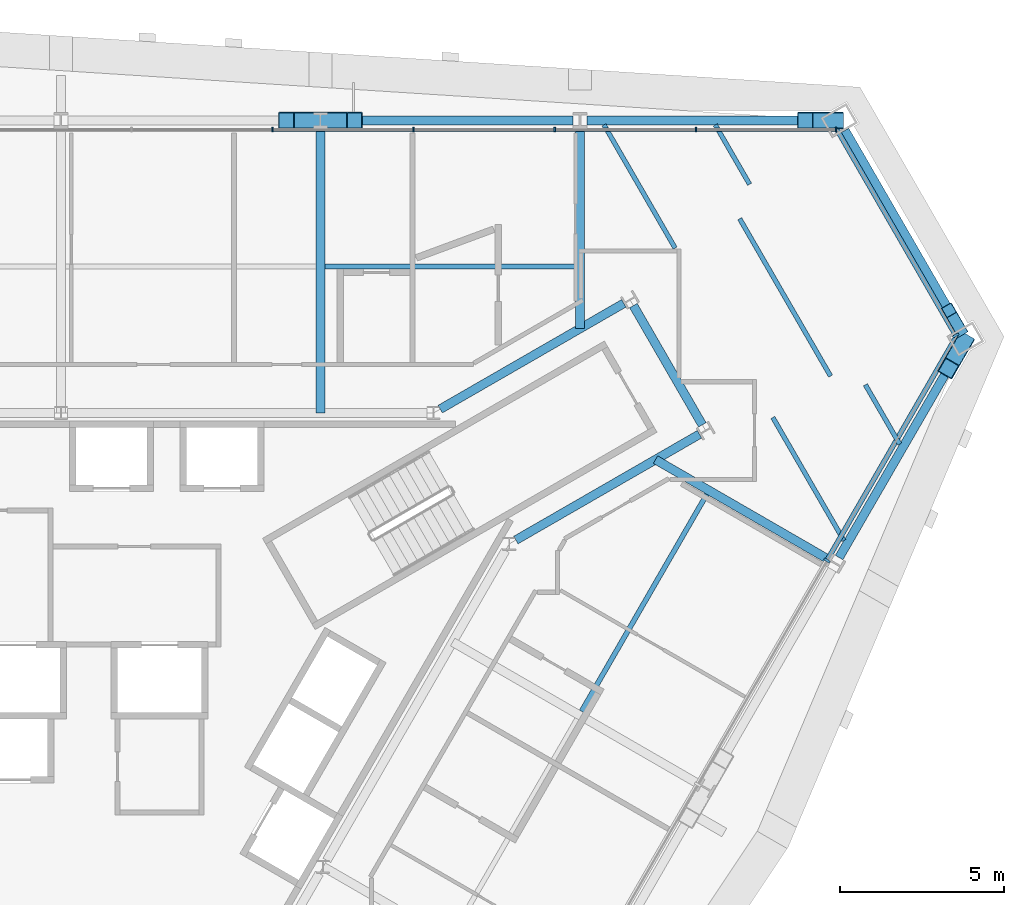
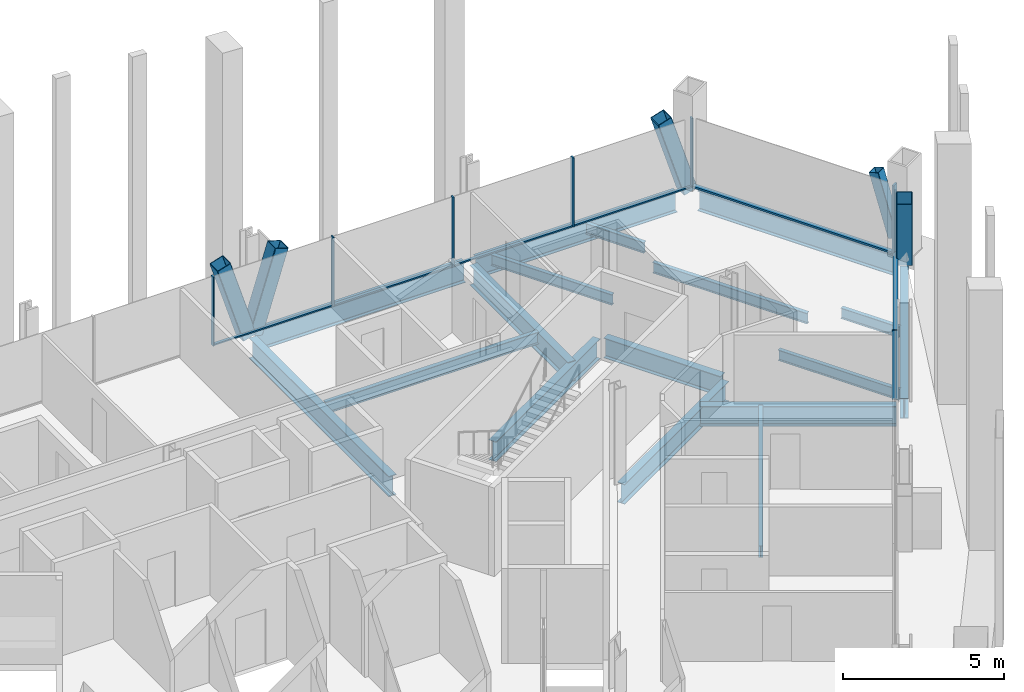
# One storey, part 8 of 17: 18 members, 17 beams, 3 elements without a shape of their own.
"""IFC4 building model written with IfcOpenShell, lengths in metres."""

from ifc_helpers import new_model, si_unit, direction, frame, origin, origin_2d, place, context, subcontext, project, spatial, rectangle, hollow_rectangle, i_section, extrude, material, material_profile, profile_set, type_object, element, aggregate, save


model = new_model("IFC4")

# Units and contexts
model_context = context("Model", 3, precision=1e-05, world=origin(), true_north=direction((0.0, 1.0)))
body_context = subcontext(model_context, "Body", "Model", "MODEL_VIEW")
ifc_project = project(units=[si_unit("LENGTHUNIT", "METRE"), si_unit("AREAUNIT", "SQUARE_METRE"), si_unit("VOLUMEUNIT", "CUBIC_METRE"), si_unit("PLANEANGLEUNIT", "RADIAN"), si_unit("MASSUNIT", "GRAM", prefix="KILO")], contexts=[model_context])

# Site, building, storey
site_placement = place(None, origin())
site = spatial("IfcSite", under=ifc_project, at=site_placement, CompositionType="ELEMENT")
building_placement = place(site_placement, origin())
building = spatial("IfcBuilding", under=site, at=building_placement, Name="Verrane Prism Tower", CompositionType="ELEMENT")
storey_placement = place(building_placement, frame((0.0, 0.0, 92.800048828125)))
storey = spatial("IfcBuildingStorey", under=building, at=storey_placement, Name="L21", CompositionType="ELEMENT", Elevation=92.800048828125)

# Member
ifc_material_1 = material(Name="Steel A500 Grade C", Category="steel")
ifc_material_profile_1 = material_profile(ifc_material_1, hollow_rectangle(XDim=0.355712890625, YDim=0.355712890625, WallThickness=0.0126953125, InnerFilletRadius=0.00634765625, OuterFilletRadius=0.01904296875, at=origin_2d()), Name="HSS14x14x1/2")
ifc_profile_set_1 = profile_set([ifc_material_profile_1], Name="Steel A500 Grade C")
member_type_1 = type_object("IfcMemberType", Name="Chamfer brace HSS14x14x1/2", PredefinedType="BRACE", material=ifc_profile_set_1)
member_1_placement = place(storey_placement, frame((27.33984375, 11.72705078125, 0.5078125), z_axis=(-0.145831104884, 0.25201275634, 0.956672806915), x_axis=(-0.865532026692, -0.500853582167, 0.0)))
element("IfcMember", 1, at=member_1_placement, inside=storey, type_object=member_type_1, Name="Chamfer brace NE0 L21", PredefinedType="BRACE", context=body_context, shape_type="SweptSolid", body=[
    extrude(hollow_rectangle(XDim=0.355712890625, YDim=0.355712890625, WallThickness=0.0126953125, InnerFilletRadius=0.00634765625, OuterFilletRadius=0.01904296875, at=origin_2d()), origin(), (0.0, 0.0, 1.0), 2.35205078125),
])

# Beams
ifc_material_2 = material(Name="Steel A992", Category="steel")
ifc_material_profile_2 = material_profile(ifc_material_2, i_section(OverallWidth=0.2666015625, OverallDepth=0.76708984375, WebThickness=0.014892578125, FlangeThickness=0.023681640625, FilletRadius=0.0166015625, at=origin_2d()), Name="W30x124")
ifc_profile_set_2 = profile_set([ifc_material_profile_2], Name="Steel A992")
beam_type_1 = type_object("IfcBeamType", Name="Chamfer spandrel beam W30x124", PredefinedType="SPANDREL", material=ifc_profile_set_2)
beam_1_placement = place(storey_placement, frame((27.32470703125, 11.7529296875, -0.54345703125), z_axis=(-0.500609590055, 0.865673170628, 0.0), x_axis=(-0.865673170628, -0.500609590055, 0.0)))
element("IfcBeam", 2, at=beam_1_placement, inside=storey, type_object=beam_type_1, Name="Chamfer spandrel beam L21", PredefinedType="SPANDREL", context=body_context, shape_type="SweptSolid", body=[
    extrude(i_section(OverallWidth=0.2666015625, OverallDepth=0.76708984375, WebThickness=0.014892578125, FlangeThickness=0.023681640625, FilletRadius=0.0166015625, at=origin_2d()), origin(), (0.0, 0.0, 1.0), 6.970458984375),
])
ifc_material_3 = material(Name="Steel A992", Category="steel")
ifc_material_profile_3 = material_profile(ifc_material_3, i_section(OverallWidth=0.2666015625, OverallDepth=0.7568359375, WebThickness=0.013916015625, FlangeThickness=0.019287109375, FilletRadius=0.0166015625, at=origin_2d()), Name="W30x108")
ifc_profile_set_3 = profile_set([ifc_material_profile_3], Name="Steel A992")
beam_type_2 = type_object("IfcBeamType", Name="Core ring girder W30x108", PredefinedType="BEAM", material=ifc_profile_set_3)
beam_2_placement = place(storey_placement, frame((13.830810546875, 5.335693359375, -0.628662109375), z_axis=(0.866455532004, 0.499254254924, 0.0), x_axis=(-0.499254254924, 0.866455532004, 0.0)))
element("IfcBeam", 3, at=beam_2_placement, inside=storey, type_object=beam_type_2, Name="Core ring girder L21", PredefinedType="BEAM", context=body_context, shape_type="SweptSolid", body=[
    extrude(i_section(OverallWidth=0.2666015625, OverallDepth=0.7568359375, WebThickness=0.013916015625, FlangeThickness=0.019287109375, FilletRadius=0.0166015625, at=origin_2d()), origin(), (0.0, 0.0, 1.0), 6.441162109375),
])
beam_3_placement = place(storey_placement, frame((19.4970703125, 8.838134765625, -0.628662109375), z_axis=(-0.500367003619, 0.865813410435, 0.0), x_axis=(-0.865813410435, -0.500367003619, 0.0)))
element("IfcBeam", 4, at=beam_3_placement, inside=storey, type_object=beam_type_2, Name="Core ring girder L21", PredefinedType="BEAM", context=body_context, shape_type="SweptSolid", body=[
    extrude(i_section(OverallWidth=0.2666015625, OverallDepth=0.7568359375, WebThickness=0.013916015625, FlangeThickness=0.019287109375, FilletRadius=0.0166015625, at=origin_2d()), origin(), (0.0, 0.0, 1.0), 4.185302734375),
])
beam_4_placement = place(storey_placement, frame((17.11181640625, 12.531494140625, -0.628662109375), z_axis=(-0.866455532004, -0.499254254924, 0.0), x_axis=(0.499254254924, -0.866455532004, 0.0)))
element("IfcBeam", 5, at=beam_4_placement, inside=storey, type_object=beam_type_2, Name="Core ring girder L21", PredefinedType="BEAM", context=body_context, shape_type="SweptSolid", body=[
    extrude(i_section(OverallWidth=0.2666015625, OverallDepth=0.7568359375, WebThickness=0.013916015625, FlangeThickness=0.019287109375, FilletRadius=0.0166015625, at=origin_2d()), origin(), (0.0, 0.0, 1.0), 6.441162109375),
])

# Members
ifc_material_4 = material(Name="Steel A1085 Grade A", Category="steel")
ifc_material_profile_4 = material_profile(ifc_material_4, hollow_rectangle(XDim=0.508056640625, YDim=0.508056640625, WallThickness=0.025390625, InnerFilletRadius=0.0126953125, OuterFilletRadius=0.0380859375, at=origin_2d()), Name="HSS20x20x1")
ifc_profile_set_4 = profile_set([ifc_material_profile_4], Name="Steel A1085 Grade A")
member_type_2 = type_object("IfcMemberType", Name="Facade brace HSS20x20x1", PredefinedType="BRACE", material=ifc_profile_set_4)
member_2_placement = place(storey_placement, frame((23.553466796875, 18.090087890625, -0.19775390625), z_axis=(-0.298480936236, 0.0, 0.954415596427), x_axis=(0.0, -1.0, 0.0)))
element("IfcMember", 6, at=member_2_placement, inside=storey, type_object=member_type_2, Name="Facade brace N0 L21", PredefinedType="BRACE", context=body_context, shape_type="SweptSolid", body=[
    extrude(hollow_rectangle(XDim=0.508056640625, YDim=0.508056640625, WallThickness=0.025390625, InnerFilletRadius=0.0126953125, OuterFilletRadius=0.0380859375, at=origin_2d()), origin(), (0.0, 0.0, 1.0), 3.10498046875),
])
for number, where, z_axis, x_axis, name in (
    (7, (7.99658203125, 18.090087890625, -0.19775390625), (0.298838998855, 0.0, 0.954303543304), (0.0, 1.0, 0.0), "Facade brace N1 L21"),
    (8, (7.783203125, 18.090087890625, -0.19775390625), (-0.298767396422, 0.0, 0.95432596257), (0.0, -1.0, 0.0), "Facade brace N2 L21"),
    (9, (27.446533203125, 11.357666015625, -0.19775390625), (-0.149540156627, -0.258668304576, 0.954320936459), (0.865738394228, -0.500496785964, 0.0), "Facade brace SE5 L21"),
):
    element("IfcMember", number, at=place(storey_placement, frame(where, z_axis=z_axis, x_axis=x_axis)), inside=storey, type_object=member_type_2, Name=name, PredefinedType="BRACE", context=body_context, shape_type="SweptSolid", body=[
        extrude(hollow_rectangle(XDim=0.508056640625, YDim=0.508056640625, WallThickness=0.025390625, InnerFilletRadius=0.0126953125, OuterFilletRadius=0.0380859375, at=origin_2d()), origin(), (0.0, 0.0, 1.0), 3.105224609375),
    ])

# Beams
ifc_material_5 = material(Name="Steel A992", Category="steel")
ifc_material_profile_5 = material_profile(ifc_material_5, i_section(OverallWidth=0.140380859375, OverallDepth=0.40380859375, WebThickness=0.007080078125, FlangeThickness=0.01123046875, FilletRadius=0.01025390625, at=origin_2d()), Name="W16x31")
ifc_profile_set_5 = profile_set([ifc_material_profile_5], Name="Steel A992")
beam_type_3 = type_object("IfcBeamType", Name="Floor beam W16x31", PredefinedType="BEAM", material=ifc_profile_set_5)
beam_5_placement = place(storey_placement, frame((20.93505859375, 16.150146484375, -0.362060546875), z_axis=(-0.500016271356, 0.866016009309, 0.0), x_axis=(-0.866016009309, -0.500016271356, 0.0)))
element("IfcBeam", 10, at=beam_5_placement, inside=storey, type_object=beam_type_3, Name="Floor beam L21", PredefinedType="BEAM", context=body_context, shape_type="SweptSolid", body=[
    extrude(i_section(OverallWidth=0.140380859375, OverallDepth=0.40380859375, WebThickness=0.007080078125, FlangeThickness=0.01123046875, FilletRadius=0.01025390625, at=origin_2d()), origin(), (0.0, 0.0, 1.0), 2.0859375),
])
beam_6_placement = place(storey_placement, frame((18.671875, 14.210693359375, -0.362060546875), z_axis=(-0.499987927251, 0.866032373877, 0.0), x_axis=(-0.866032373877, -0.499987927251, 0.0)))
element("IfcBeam", 11, at=beam_6_placement, inside=storey, type_object=beam_type_3, Name="Floor beam L21", PredefinedType="BEAM", context=body_context, shape_type="SweptSolid", body=[
    extrude(i_section(OverallWidth=0.140380859375, OverallDepth=0.40380859375, WebThickness=0.007080078125, FlangeThickness=0.01123046875, FilletRadius=0.01025390625, at=origin_2d()), origin(), (0.0, 0.0, 1.0), 4.3251953125),
])
beam_7_placement = place(storey_placement, frame((25.49658203125, 8.25244140625, -0.362060546875), z_axis=(-0.500084280142, 0.865976739154, 0.0), x_axis=(-0.865976739154, -0.500084280142, 0.0)))
element("IfcBeam", 12, at=beam_7_placement, inside=storey, type_object=beam_type_3, Name="Floor beam L21", PredefinedType="BEAM", context=body_context, shape_type="SweptSolid", body=[
    extrude(i_section(OverallWidth=0.140380859375, OverallDepth=0.40380859375, WebThickness=0.007080078125, FlangeThickness=0.01123046875, FilletRadius=0.01025390625, at=origin_2d()), origin(), (0.0, 0.0, 1.0), 2.083251953125),
])
beam_8_placement = place(storey_placement, frame((23.80126953125, 5.321044921875, -0.362060546875), z_axis=(-0.500004540241, 0.866022782459, 0.0), x_axis=(-0.866022782459, -0.500004540241, 0.0)))
element("IfcBeam", 13, at=beam_8_placement, inside=storey, type_object=beam_type_3, Name="Floor beam L21", PredefinedType="BEAM", context=body_context, shape_type="SweptSolid", body=[
    extrude(i_section(OverallWidth=0.140380859375, OverallDepth=0.40380859375, WebThickness=0.007080078125, FlangeThickness=0.01123046875, FilletRadius=0.01025390625, at=origin_2d()), origin(), (0.0, 0.0, 1.0), 4.3203125),
])
beam_9_placement = place(storey_placement, frame((23.396484375, 10.319091796875, -0.362060546875), z_axis=(-0.499999210213, 0.866025859768, 0.0), x_axis=(-0.866025859768, -0.499999210213, 0.0)))
element("IfcBeam", 14, at=beam_9_placement, inside=storey, type_object=beam_type_3, Name="Floor beam L21", PredefinedType="BEAM", context=body_context, shape_type="SweptSolid", body=[
    extrude(i_section(OverallWidth=0.140380859375, OverallDepth=0.40380859375, WebThickness=0.007080078125, FlangeThickness=0.01123046875, FilletRadius=0.01025390625, at=origin_2d()), origin(), (0.0, 0.0, 1.0), 5.5234375),
])
ifc_material_6 = material(Name="Steel A992", Category="steel")
ifc_material_profile_6 = material_profile(ifc_material_6, i_section(OverallWidth=0.15234375, OverallDepth=0.449462890625, WebThickness=0.007568359375, FlangeThickness=0.0107421875, FilletRadius=0.01025390625, at=origin_2d()), Name="W18x35")
ifc_profile_set_6 = profile_set([ifc_material_profile_6], Name="Steel A992")
beam_type_4 = type_object("IfcBeamType", Name="Floor beam W18x35", PredefinedType="BEAM", material=ifc_profile_set_6)
beam_10_placement = place(storey_placement, frame((8.0234375, 13.64501953125, -0.384765625), z_axis=(1.0, 0.0, 0.0), x_axis=(0.0, 1.0, 0.0)))
element("IfcBeam", 15, at=beam_10_placement, inside=storey, type_object=beam_type_4, Name="Floor beam L21", PredefinedType="BEAM", context=body_context, shape_type="SweptSolid", body=[
    extrude(i_section(OverallWidth=0.15234375, OverallDepth=0.449462890625, WebThickness=0.007568359375, FlangeThickness=0.0107421875, FilletRadius=0.01025390625, at=origin_2d()), origin(), (0.0, 0.0, 1.0), 7.623046875),
])
beam_11_placement = place(storey_placement, frame((15.82666015625, 0.130615234375, -0.384765625), z_axis=(0.49997412077, 0.866040344649, 0.0), x_axis=(-0.866040344649, 0.49997412077, 0.0)))
element("IfcBeam", 16, at=beam_11_placement, inside=storey, type_object=beam_type_4, Name="Floor beam L21", PredefinedType="BEAM", context=body_context, shape_type="SweptSolid", body=[
    extrude(i_section(OverallWidth=0.15234375, OverallDepth=0.449462890625, WebThickness=0.007568359375, FlangeThickness=0.0107421875, FilletRadius=0.01025390625, at=origin_2d()), origin(), (0.0, 0.0, 1.0), 7.61376953125),
])

# Curtain wall, members
ifc_material_7 = material(Name="Aluminium framed insulated glazing", Category="aluminium")
curtain_wall_type_1 = type_object("IfcCurtainWallType", Name="Curtain wall CW-C 4200 module", PredefinedType="NOTDEFINED", material=ifc_material_7)
curtain_wall_1_placement = place(storey_placement, origin())
curtain_wall_1 = element("IfcCurtainWall", 17, at=curtain_wall_1_placement, inside=storey, type_object=curtain_wall_type_1, Name="Glazed curtain wall north face L21", PredefinedType="NOTDEFINED")
ifc_material_8 = material(Name="Aluminium alloy 6063-T6", Category="aluminium")
ifc_material_profile_7 = material_profile(ifc_material_8, rectangle(XDim=0.139892578125, YDim=0.050048828125, at=origin_2d()), Name="Mullion 50x140 aluminium")
ifc_profile_set_7 = profile_set([ifc_material_profile_7], Name="Aluminium alloy 6063-T6")
member_type_3 = type_object("IfcMemberType", Name="Mullion 50x140 aluminium", PredefinedType="MULLION", material=ifc_profile_set_7)
member_3_placement = place(storey_placement, frame((23.564697265625, 17.81103515625, 0.0), z_axis=(0.0, 0.0, 1.0), x_axis=(0.0, -1.0, 0.0)))
member_3 = element("IfcMember", 18, at=member_3_placement, type_object=member_type_3, Name="CW21.2 mullion 1", PredefinedType="MULLION", context=body_context, shape_type="SweptSolid", body=[
    extrude(rectangle(XDim=0.139892578125, YDim=0.050048828125, at=origin_2d()), origin(), (0.0, 0.0, 1.0), 2.61279296875),
])
member_4_placement = place(storey_placement, frame((19.30078125, 17.81103515625, 0.0), z_axis=(0.0, 0.0, 1.0), x_axis=(0.0, -1.0, 0.0)))
member_4 = element("IfcMember", 19, at=member_4_placement, type_object=member_type_3, Name="CW21.2 mullion 2", PredefinedType="MULLION", context=body_context, shape_type="SweptSolid", body=[
    extrude(rectangle(XDim=0.139892578125, YDim=0.050048828125, at=origin_2d()), origin(), (0.0, 0.0, 1.0), 2.61279296875),
])
member_5_placement = place(storey_placement, frame((15.01171875, 17.81103515625, 0.0), z_axis=(0.0, 0.0, 1.0), x_axis=(0.0, -1.0, 0.0)))
member_5 = element("IfcMember", 20, at=member_5_placement, type_object=member_type_3, Name="CW21.2 mullion 3", PredefinedType="MULLION", context=body_context, shape_type="SweptSolid", body=[
    extrude(rectangle(XDim=0.139892578125, YDim=0.050048828125, at=origin_2d()), origin(), (0.0, 0.0, 1.0), 2.61279296875),
])
member_6_placement = place(storey_placement, frame((10.72265625, 17.81103515625, 0.0), z_axis=(0.0, 0.0, 1.0), x_axis=(0.0, -1.0, 0.0)))
member_6 = element("IfcMember", 21, at=member_6_placement, type_object=member_type_3, Name="CW21.2 mullion 4", PredefinedType="MULLION", context=body_context, shape_type="SweptSolid", body=[
    extrude(rectangle(XDim=0.139892578125, YDim=0.050048828125, at=origin_2d()), origin(), (0.0, 0.0, 1.0), 2.61279296875),
])
member_7_placement = place(storey_placement, frame((6.43359375, 17.81103515625, 0.0), z_axis=(0.0, 0.0, 1.0), x_axis=(0.0, -1.0, 0.0)))
member_7 = element("IfcMember", 22, at=member_7_placement, type_object=member_type_3, Name="CW21.2 mullion 5", PredefinedType="MULLION", context=body_context, shape_type="SweptSolid", body=[
    extrude(rectangle(XDim=0.139892578125, YDim=0.050048828125, at=origin_2d()), origin(), (0.0, 0.0, 1.0), 2.61279296875),
])

# Curtain wall, member
ifc_material_9 = material(Name="Aluminium framed insulated glazing", Category="aluminium")
curtain_wall_type_2 = type_object("IfcCurtainWallType", Name="Curtain wall CW-A 8400 module", PredefinedType="NOTDEFINED", material=ifc_material_9)
curtain_wall_2_placement = place(storey_placement, origin())
curtain_wall_2 = element("IfcCurtainWall", 23, at=curtain_wall_2_placement, inside=storey, type_object=curtain_wall_type_2, Name="Glazed curtain wall north-east corner L21", PredefinedType="NOTDEFINED")
ifc_material_10 = material(Name="Aluminium alloy 6063-T6", Category="aluminium")
ifc_material_profile_8 = material_profile(ifc_material_10, rectangle(XDim=0.199951171875, YDim=0.070068359375, at=origin_2d()), Name="Mullion 70x200 aluminium")
ifc_profile_set_8 = profile_set([ifc_material_profile_8], Name="Aluminium alloy 6063-T6")
member_type_4 = type_object("IfcMemberType", Name="Mullion 70x200 aluminium", PredefinedType="MULLION", material=ifc_profile_set_8)
member_8_placement = place(storey_placement, frame((27.2021484375, 11.55419921875, 0.0), z_axis=(0.0, 0.0, 1.0), x_axis=(-0.866026394632, -0.499998283797, 0.0)))
member_8 = element("IfcMember", 24, at=member_8_placement, type_object=member_type_4, Name="CW21.1 mullion 1", PredefinedType="MULLION", context=body_context, shape_type="SweptSolid", body=[
    extrude(rectangle(XDim=0.199951171875, YDim=0.070068359375, at=origin_2d()), origin(), (0.0, 0.0, 1.0), 2.61279296875),
])

curtain_wall_3_placement = place(storey_placement, origin())
curtain_wall_3 = element("IfcCurtainWall", 25, at=curtain_wall_3_placement, inside=storey, type_object=curtain_wall_type_2, Name="Glazed curtain wall south-east face L21", PredefinedType="NOTDEFINED")
member_9_placement = place(storey_placement, frame((23.2880859375, 4.714111328125, 0.0), z_axis=(0.0, 0.0, 1.0), x_axis=(-0.866025621383, 0.499999623108, 0.0)))
member_9 = element("IfcMember", 26, at=member_9_placement, type_object=member_type_4, Name="CW21.6 mullion 6", PredefinedType="MULLION", context=body_context, shape_type="SweptSolid", body=[
    extrude(rectangle(XDim=0.199951171875, YDim=0.070068359375, at=origin_2d()), origin(), (0.0, 0.0, 1.0), 2.61279296875),
])

# Beams
ifc_material_11 = material(Name="Steel A992", Category="steel")
ifc_material_profile_9 = material_profile(ifc_material_11, i_section(OverallWidth=0.2666015625, OverallDepth=0.76708984375, WebThickness=0.014892578125, FlangeThickness=0.023681640625, FilletRadius=0.0166015625, at=origin_2d()), Name="W30x124")
ifc_profile_set_9 = profile_set([ifc_material_profile_9], Name="Steel A992")
beam_type_5 = type_object("IfcBeamType", Name="Radial girder W30x124", PredefinedType="BEAM", material=ifc_profile_set_9)
beam_12_placement = place(storey_placement, frame((15.780029296875, 17.8525390625, -0.603515625), z_axis=(0.0, -1.0, 0.0), x_axis=(1.0, 0.0, 0.0)))
element("IfcBeam", 27, at=beam_12_placement, inside=storey, type_object=beam_type_5, Name="Radial girder L21", PredefinedType="BEAM", context=body_context, shape_type="SweptSolid", body=[
    extrude(i_section(OverallWidth=0.2666015625, OverallDepth=0.76708984375, WebThickness=0.014892578125, FlangeThickness=0.023681640625, FilletRadius=0.0166015625, at=origin_2d()), origin(), (0.0, 0.0, 1.0), 6.08837890625),
])
beam_13_placement = place(storey_placement, frame((7.889892578125, 17.8525390625, -0.603515625), z_axis=(0.0, -1.0, 0.0), x_axis=(1.0, 0.0, 0.0)))
element("IfcBeam", 28, at=beam_13_placement, inside=storey, type_object=beam_type_5, Name="Radial girder L21", PredefinedType="BEAM", context=body_context, shape_type="SweptSolid", body=[
    extrude(i_section(OverallWidth=0.2666015625, OverallDepth=0.76708984375, WebThickness=0.014892578125, FlangeThickness=0.023681640625, FilletRadius=0.0166015625, at=origin_2d()), origin(), (0.0, 0.0, 1.0), 8.652587890625),
])
beam_14_placement = place(storey_placement, frame((23.34423828125, 4.73876953125, -0.603515625), z_axis=(-0.866034580849, 0.49998410452, 0.0), x_axis=(-0.49998410452, -0.866034580849, 0.0)))
element("IfcBeam", 29, at=beam_14_placement, inside=storey, type_object=beam_type_5, Name="Radial girder L21", PredefinedType="BEAM", context=body_context, shape_type="SweptSolid", body=[
    extrude(i_section(OverallWidth=0.2666015625, OverallDepth=0.76708984375, WebThickness=0.014892578125, FlangeThickness=0.023681640625, FilletRadius=0.0166015625, at=origin_2d()), origin(), (0.0, 0.0, 1.0), 6.084716796875),
])
ifc_material_12 = material(Name="Steel A992", Category="steel")
ifc_material_profile_10 = material_profile(ifc_material_12, i_section(OverallWidth=0.2666015625, OverallDepth=0.7568359375, WebThickness=0.013916015625, FlangeThickness=0.019287109375, FilletRadius=0.0166015625, at=origin_2d()), Name="W30x108")
ifc_profile_set_10 = profile_set([ifc_material_profile_10], Name="Steel A992")
beam_type_6 = type_object("IfcBeamType", Name="Spandrel beam W30x108", PredefinedType="SPANDREL", material=ifc_profile_set_10)
beam_15_placement = place(storey_placement, frame((23.140380859375, 18.090087890625, -0.53857421875), z_axis=(-1.0, 0.0, 0.0), x_axis=(0.0, -1.0, 0.0)))
element("IfcBeam", 30, at=beam_15_placement, inside=storey, type_object=beam_type_6, Name="Spandrel beam L21", PredefinedType="SPANDREL", context=body_context, shape_type="SweptSolid", body=[
    extrude(i_section(OverallWidth=0.2666015625, OverallDepth=0.7568359375, WebThickness=0.013916015625, FlangeThickness=0.019287109375, FilletRadius=0.0166015625, at=origin_2d()), origin(), (0.0, 0.0, 1.0), 7.148193359375),
])
beam_16_placement = place(storey_placement, frame((15.56787109375, 18.090087890625, -0.53857421875), z_axis=(-1.0, 0.0, 0.0), x_axis=(0.0, -1.0, 0.0)))
element("IfcBeam", 31, at=beam_16_placement, inside=storey, type_object=beam_type_6, Name="Spandrel beam L21", PredefinedType="SPANDREL", context=body_context, shape_type="SweptSolid", body=[
    extrude(i_section(OverallWidth=0.2666015625, OverallDepth=0.7568359375, WebThickness=0.013916015625, FlangeThickness=0.019287109375, FilletRadius=0.0166015625, at=origin_2d()), origin(), (0.0, 0.0, 1.0), 7.4658203125),
])
beam_17_placement = place(storey_placement, frame((23.65625, 4.8037109375, -0.53857421875), z_axis=(0.50063155155, 0.865660470157, 0.0), x_axis=(-0.865660470157, 0.50063155155, 0.0)))
element("IfcBeam", 32, at=beam_17_placement, inside=storey, type_object=beam_type_6, Name="Spandrel beam L21", PredefinedType="SPANDREL", context=body_context, shape_type="SweptSolid", body=[
    extrude(i_section(OverallWidth=0.2666015625, OverallDepth=0.7568359375, WebThickness=0.013916015625, FlangeThickness=0.019287109375, FilletRadius=0.0166015625, at=origin_2d()), origin(), (0.0, 0.0, 1.0), 7.158447265625),
])

# Member
ifc_material_13 = material(Name="Aluminium alloy 6063-T6", Category="aluminium")
ifc_material_profile_11 = material_profile(ifc_material_13, rectangle(XDim=0.10009765625, YDim=0.050048828125, at=origin_2d()), Name="Transom 50x100 aluminium")
ifc_profile_set_11 = profile_set([ifc_material_profile_11], Name="Aluminium alloy 6063-T6")
member_type_5 = type_object("IfcMemberType", Name="Transom 50x100 aluminium", PredefinedType="USERDEFINED", material=ifc_profile_set_11)
member_10_placement = place(storey_placement, frame((23.539794921875, 17.81103515625, 0.02490234375), z_axis=(-1.0, 0.0, 0.0), x_axis=(0.0, -1.0, 0.0)))
member_10 = element("IfcMember", 33, at=member_10_placement, type_object=member_type_5, Name="CW21.2 transom 1", ObjectType="TRANSOM", PredefinedType="USERDEFINED", context=body_context, shape_type="SweptSolid", body=[
    extrude(rectangle(XDim=0.10009765625, YDim=0.050048828125, at=origin_2d()), origin(), (0.0, 0.0, 1.0), 4.214111328125),
])

member_11_placement = place(storey_placement, frame((19.275634765625, 17.81103515625, 0.02490234375), z_axis=(-1.0, 0.0, 0.0), x_axis=(0.0, -1.0, 0.0)))
member_11 = element("IfcMember", 34, at=member_11_placement, type_object=member_type_5, Name="CW21.2 transom 2", ObjectType="TRANSOM", PredefinedType="USERDEFINED", context=body_context, shape_type="SweptSolid", body=[
    extrude(rectangle(XDim=0.10009765625, YDim=0.050048828125, at=origin_2d()), origin(), (0.0, 0.0, 1.0), 4.239013671875),
])

member_12_placement = place(storey_placement, frame((14.986572265625, 17.81103515625, 0.02490234375), z_axis=(-1.0, 0.0, 0.0), x_axis=(0.0, -1.0, 0.0)))
member_12 = element("IfcMember", 35, at=member_12_placement, type_object=member_type_5, Name="CW21.2 transom 3", ObjectType="TRANSOM", PredefinedType="USERDEFINED", context=body_context, shape_type="SweptSolid", body=[
    extrude(rectangle(XDim=0.10009765625, YDim=0.050048828125, at=origin_2d()), origin(), (0.0, 0.0, 1.0), 4.239013671875),
])

member_13_placement = place(storey_placement, frame((10.697509765625, 17.81103515625, 0.02490234375), z_axis=(-1.0, 0.0, 0.0), x_axis=(0.0, -1.0, 0.0)))
member_13 = element("IfcMember", 36, at=member_13_placement, type_object=member_type_5, Name="CW21.2 transom 4", ObjectType="TRANSOM", PredefinedType="USERDEFINED", context=body_context, shape_type="SweptSolid", body=[
    extrude(rectangle(XDim=0.10009765625, YDim=0.050048828125, at=origin_2d()), origin(), (0.0, 0.0, 1.0), 4.239013671875),
])

aggregate(curtain_wall_1, [member_3, member_4, member_5, member_6, member_7, member_10, member_11, member_12, member_13])

ifc_material_14 = material(Name="Aluminium alloy 6063-T6", Category="aluminium")
ifc_material_profile_12 = material_profile(ifc_material_14, rectangle(XDim=0.14990234375, YDim=0.070068359375, at=origin_2d()), Name="Transom 70x150 aluminium")
ifc_profile_set_12 = profile_set([ifc_material_profile_12], Name="Aluminium alloy 6063-T6")
member_type_6 = type_object("IfcMemberType", Name="Transom 70x150 aluminium", PredefinedType="USERDEFINED", material=ifc_profile_set_12)
member_14_placement = place(storey_placement, frame((27.1845703125, 11.58447265625, 0.034912109375), z_axis=(-0.500006589238, 0.866021599452, 0.0), x_axis=(-0.866021599452, -0.500006589238, 0.0)))
member_14 = element("IfcMember", 37, at=member_14_placement, type_object=member_type_6, Name="CW21.1 transom 1", ObjectType="TRANSOM", PredefinedType="USERDEFINED", context=body_context, shape_type="SweptSolid", body=[
    extrude(rectangle(XDim=0.14990234375, YDim=0.070068359375, at=origin_2d()), origin(), (0.0, 0.0, 1.0), 7.18994140625),
])

aggregate(curtain_wall_2, [member_8, member_14])

member_15_placement = place(storey_placement, frame((23.305419921875, 4.744384765625, 0.034912109375), z_axis=(0.500003221507, 0.866023543838, 0.0), x_axis=(-0.866023543838, 0.500003221507, 0.0)))
member_15 = element("IfcMember", 38, at=member_15_placement, type_object=member_type_6, Name="CW21.6 transom 6", ObjectType="TRANSOM", PredefinedType="USERDEFINED", context=body_context, shape_type="SweptSolid", body=[
    extrude(rectangle(XDim=0.14990234375, YDim=0.070068359375, at=origin_2d()), origin(), (0.0, 0.0, 1.0), 7.828125),
])

aggregate(curtain_wall_3, [member_9, member_15])

save(model, "model.ifc")
